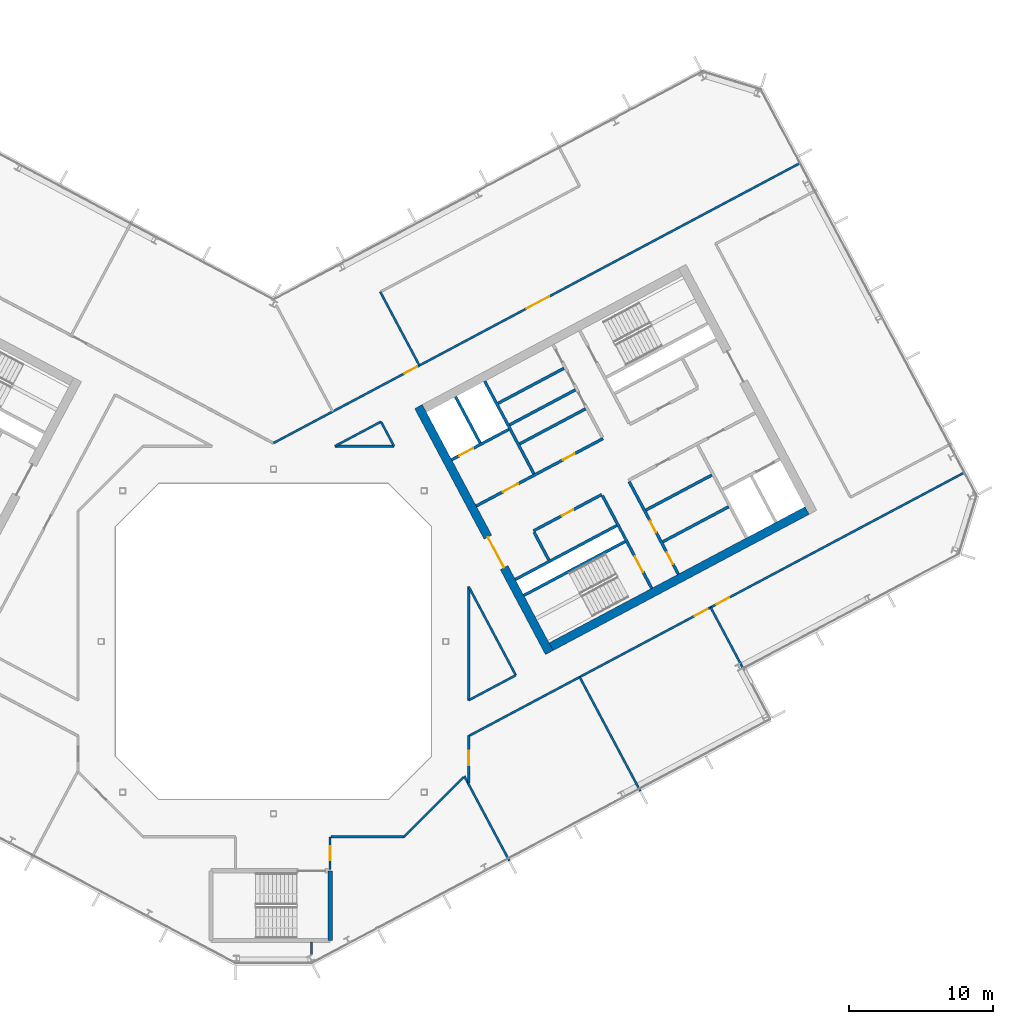
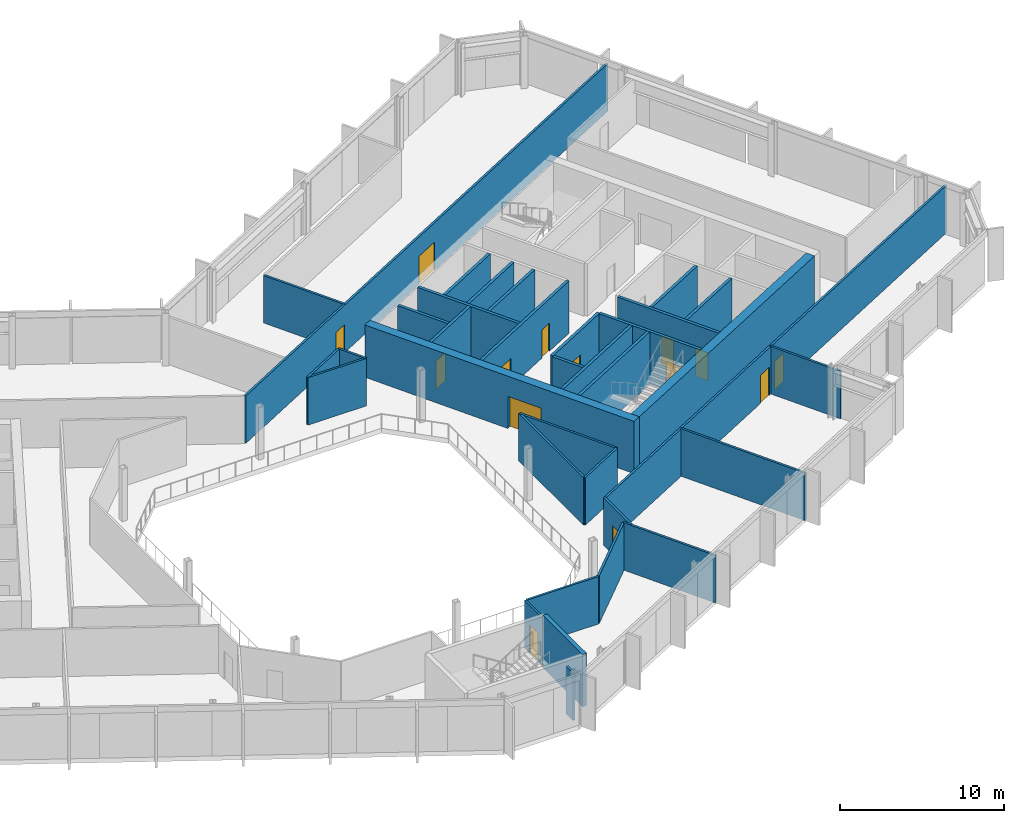
# One storey, part 15 of 26: 35 walls, 14 doors, 14 openings.
"""IFC4 building model written with IfcOpenShell, lengths in metres."""

from ifc_helpers import new_model, si_unit, direction, frame, frame_2d, origin, place, context, subcontext, project, spatial, rectangle, extrude, material, layer, layer_set, type_object, element, fill, save


model = new_model("IFC4")

# Units and contexts
model_context = context("Model", 3, precision=1e-05, world=origin(), true_north=direction((0.0, 1.0)))
body_context = subcontext(model_context, "Body", "Model", "MODEL_VIEW")
ifc_project = project(units=[si_unit("LENGTHUNIT", "METRE"), si_unit("AREAUNIT", "SQUARE_METRE"), si_unit("VOLUMEUNIT", "CUBIC_METRE"), si_unit("PLANEANGLEUNIT", "RADIAN"), si_unit("MASSUNIT", "GRAM", prefix="KILO")], contexts=[model_context])

# Site, building, storey
site_placement = place(None, origin())
site = spatial("IfcSite", under=ifc_project, at=site_placement, CompositionType="ELEMENT")
building_placement = place(site_placement, origin())
building = spatial("IfcBuilding", under=site, at=building_placement, Name="Cormorant Relay Tower", CompositionType="ELEMENT")
storey_placement = place(building_placement, frame((0.0, 0.0, 228.60009765625)))
storey = spatial("IfcBuildingStorey", under=building, at=storey_placement, Name="L50", CompositionType="ELEMENT", Elevation=228.60009765625)

# Walls
ifc_material_1 = material(Name="Concrete 40 MPa", Category="concrete")
ifc_layer_1 = layer(ifc_material_1, 0.199951171875)
ifc_layer_set_1 = layer_set([ifc_layer_1], Name="Core internal wall 200")
wall_type_1 = type_object("IfcWallType", Name="Core internal wall 200", PredefinedType="SOLIDWALL", material=ifc_layer_set_1)
for number, where, z_axis, x_axis, name in (
    (1, (27.11474609375, 6.942138671875, 0.0), (0.0, 0.0, 1.0), (0.882934506056, 0.469496174655, 0.0), "L50 core B shaft and room wall"),
    (2, (16.442626953125, 15.085205078125, 0.0), (0.0, 0.0, 1.0), (0.882953967957, 0.469459572775, 0.0), "L50 core B shaft and room wall"),
    (3, (15.64453125, 16.586181640625, 0.0), (0.0, 0.0, 1.0), (0.882953967957, 0.469459572775, 0.0), "L50 core B shaft and room wall"),
):
    element("IfcWall", number, at=place(storey_placement, frame(where, z_axis=z_axis, x_axis=x_axis)), inside=storey, type_object=wall_type_1, Name=name, PredefinedType="SOLIDWALL", context=body_context, shape_type="SweptSolid", body=[
        extrude(rectangle(XDim=5.199951171875, YDim=0.199951171875, at=frame_2d((2.60009765625, 0.0))), origin(), (0.0, 0.0, 1.0), 3.89990234375),
    ])
ifc_material_2 = material(Name="Concrete 50 MPa", Category="concrete")
ifc_layer_2 = layer(ifc_material_2, 0.199951171875)
ifc_layer_set_2 = layer_set([ifc_layer_2], Name="Core shaft wall 200")
wall_type_2 = type_object("IfcWallType", Name="Core shaft wall 200", PredefinedType="SHEAR", material=ifc_layer_set_2)
wall_1_placement = place(storey_placement, frame((14.39404296875, 13.825927734375, 0.0), z_axis=(0.0, 0.0, 1.0), x_axis=(-0.469494272526, 0.882935517501, 0.0)))
element("IfcWall", 4, at=wall_1_placement, inside=storey, type_object=wall_type_2, Name="L50 core B shaft wall", PredefinedType="SHEAR", context=body_context, shape_type="SweptSolid", body=[
    extrude(rectangle(XDim=3.64990234375, YDim=0.199951171875, at=frame_2d((1.824951171875, 0.0))), origin(), (0.0, 0.0, 1.0), 3.89990234375),
])
wall_2_placement = place(storey_placement, frame((19.18359375, 5.669921875, 0.0), z_axis=(0.0, 0.0, 1.0), x_axis=(-0.4694473164, 0.882960484464, 0.0)))
element("IfcWall", 5, at=wall_2_placement, inside=storey, type_object=wall_type_2, Name="L50 core B shaft wall", PredefinedType="SHEAR", context=body_context, shape_type="SweptSolid", body=[
    extrude(rectangle(XDim=2.199951171875, YDim=0.199951171875, at=frame_2d((1.10009765625, 0.0))), origin(), (0.0, 0.0, 1.0), 3.89990234375),
])
wall_3_placement = place(storey_placement, frame((18.138427734375, 11.682861328125, 0.0), z_axis=(0.0, 0.0, 1.0), x_axis=(-0.469480409012, 0.88294288918, 0.0)))
element("IfcWall", 6, at=wall_3_placement, inside=storey, type_object=wall_type_2, Name="L50 core B shaft wall", PredefinedType="SHEAR", context=body_context, shape_type="SweptSolid", body=[
    extrude(rectangle(XDim=7.300048828125, YDim=0.199951171875, at=frame_2d((3.64990234375, 0.0))), origin(), (0.0, 0.0, 1.0), 3.89990234375),
])

# Wall, opening, door
wall_4_placement = place(storey_placement, frame((26.345947265625, 3.701904296875, 0.0), z_axis=(0.0, 0.0, 1.0), x_axis=(-0.469480409012, 0.88294288918, 0.0)))
wall_4 = element("IfcWall", 7, at=wall_4_placement, inside=storey, type_object=wall_type_2, Name="L50 core B shaft wall", PredefinedType="SHEAR", context=body_context, shape_type="SweptSolid", body=[
    extrude(rectangle(XDim=7.300048828125, YDim=0.199951171875, at=frame_2d((3.64990234375, 0.0))), origin(), (0.0, 0.0, 1.0), 3.89990234375),
])
opening_1_placement = place(wall_4_placement, frame((1.300048828125, 0.0, 0.0)))
opening_1 = element("IfcOpeningElement", 8, at=opening_1_placement, cuts=wall_4, Name="Opening CDB-040", PredefinedType="OPENING", context=body_context, shape_type="SweptSolid", body=[
    extrude(rectangle(XDim=1.199951171875, YDim=2.10009765625, at=frame_2d((0.60009765625, 1.050048828125))), frame((0.0, 0.10986328125, 0.0), z_axis=(0.0, -1.0, 0.0), x_axis=(1.0, 0.0, 0.0)), (0.0, 0.0, 1.0), 0.219970703125),
])
ifc_material_3 = material(Name="Steel fire door", Category="steel")
door_type_1 = type_object("IfcDoorType", Name="Core stair door 1200x2100", OperationType="SINGLE_SWING_LEFT", PredefinedType="DOOR", material=ifc_material_3)
door_1_placement = place(opening_1_placement, origin())
door_1 = element("IfcDoor", 9, at=door_1_placement, inside=storey, type_object=door_type_1, Name="Core stair door 1200x2100", OperationType="SINGLE_SWING_RIGHT", OverallHeight=2.10009765625, OverallWidth=1.199951171875, PredefinedType="DOOR", context=body_context, shape_type="SweptSolid", body=[
    extrude(rectangle(XDim=1.199951171875, YDim=2.10009765625, at=frame_2d((0.60009765625, 1.050048828125))), frame((0.0, 0.02490234375, 0.0), z_axis=(0.0, -1.0, 0.0), x_axis=(1.0, 0.0, 0.0)), (0.0, 0.0, 1.0), 0.050048828125),
])
fill(opening_1, door_1)

# Wall, openings, doors
wall_5_placement = place(storey_placement, frame((28.199951171875, 4.687744140625, 0.0), z_axis=(0.0, 0.0, 1.0), x_axis=(-0.469454336211, 0.882956752176, 0.0)))
wall_5 = element("IfcWall", 10, at=wall_5_placement, inside=storey, type_object=wall_type_2, Name="L50 core B shaft wall", PredefinedType="SHEAR", context=body_context, shape_type="SweptSolid", body=[
    extrude(rectangle(XDim=7.300048828125, YDim=0.199951171875, at=frame_2d((3.64990234375, 0.0))), origin(), (0.0, 0.0, 1.0), 3.89990234375),
])
opening_2_placement = place(wall_5_placement, frame((0.800048828125, 0.0, 0.0)))
opening_2 = element("IfcOpeningElement", 11, at=opening_2_placement, cuts=wall_5, Name="Opening CDD-286", PredefinedType="OPENING", context=body_context, shape_type="SweptSolid", body=[
    extrude(rectangle(XDim=0.89990234375, YDim=2.10009765625, at=frame_2d((0.449951171875, 1.050048828125))), frame((0.0, 0.10986328125, 0.0), z_axis=(0.0, -1.0, 0.0), x_axis=(1.0, 0.0, 0.0)), (0.0, 0.0, 1.0), 0.219970703125),
])
opening_3_placement = place(wall_5_placement, frame((3.300048828125, 0.0, 0.0)))
opening_3 = element("IfcOpeningElement", 12, at=opening_3_placement, cuts=wall_5, Name="Opening CDD-287", PredefinedType="OPENING", context=body_context, shape_type="SweptSolid", body=[
    extrude(rectangle(XDim=0.89990234375, YDim=2.10009765625, at=frame_2d((0.449951171875, 1.050048828125))), frame((0.0, 0.10986328125, 0.0), z_axis=(0.0, -1.0, 0.0), x_axis=(1.0, 0.0, 0.0)), (0.0, 0.0, 1.0), 0.219970703125),
])
ifc_material_4 = material(Name="Steel fire door", Category="steel")
door_type_2 = type_object("IfcDoorType", Name="Core room door 900x2100", OperationType="SINGLE_SWING_LEFT", PredefinedType="DOOR", material=ifc_material_4)
door_2_placement = place(opening_2_placement, frame((0.89990234375, 0.0, 0.0), z_axis=(0.0, 0.0, 1.0), x_axis=(-1.0, 0.0, 0.0)))
door_2 = element("IfcDoor", 13, at=door_2_placement, inside=storey, type_object=door_type_2, Name="Core room door 900x2100", OperationType="SINGLE_SWING_LEFT", OverallHeight=2.10009765625, OverallWidth=0.89990234375, PredefinedType="DOOR", context=body_context, shape_type="SweptSolid", body=[
    extrude(rectangle(XDim=0.89990234375, YDim=2.10009765625, at=frame_2d((0.449951171875, 1.050048828125))), frame((0.0, 0.02490234375, 0.0), z_axis=(0.0, -1.0, 0.0), x_axis=(1.0, 0.0, 0.0)), (0.0, 0.0, 1.0), 0.050048828125),
])
fill(opening_2, door_2)
door_3_placement = place(opening_3_placement, frame((0.89990234375, 0.0, 0.0), z_axis=(0.0, 0.0, 1.0), x_axis=(-1.0, 0.0, 0.0)))
door_3 = element("IfcDoor", 14, at=door_3_placement, inside=storey, type_object=door_type_2, Name="Core room door 900x2100", OperationType="SINGLE_SWING_LEFT", OverallHeight=2.10009765625, OverallWidth=0.89990234375, PredefinedType="DOOR", context=body_context, shape_type="SweptSolid", body=[
    extrude(rectangle(XDim=0.89990234375, YDim=2.10009765625, at=frame_2d((0.449951171875, 1.050048828125))), frame((0.0, 0.02490234375, 0.0), z_axis=(0.0, -1.0, 0.0), x_axis=(1.0, 0.0, 0.0)), (0.0, 0.0, 1.0), 0.050048828125),
])
fill(opening_3, door_3)

# Walls
for number, where, z_axis, x_axis, name in (
    (15, (17.43359375, 3.210205078125, 0.0), (0.0, 0.0, 1.0), (0.882940221191, 0.469485426614, 0.0), "L50 core B shaft wall"),
    (16, (16.8466796875, 4.31396484375, 0.0), (0.0, 0.0, 1.0), (0.882940221191, 0.469485426614, 0.0), "L50 core B shaft wall"),
):
    element("IfcWall", number, at=place(storey_placement, frame(where, z_axis=z_axis, x_axis=x_axis)), inside=storey, type_object=wall_type_2, Name=name, PredefinedType="SHEAR", context=body_context, shape_type="SweptSolid", body=[
        extrude(rectangle(XDim=8.0, YDim=0.199951171875, at=frame_2d((4.0, 0.0))), origin(), (0.0, 0.0, 1.0), 3.89990234375),
    ])
wall_6_placement = place(storey_placement, frame((25.94091796875, 9.149658203125, 0.0), z_axis=(0.0, 0.0, 1.0), x_axis=(0.882953967957, 0.469459572775, 0.0)))
element("IfcWall", 17, at=wall_6_placement, inside=storey, type_object=wall_type_2, Name="L50 core B shaft wall", PredefinedType="SHEAR", context=body_context, shape_type="SweptSolid", body=[
    extrude(rectangle(XDim=5.199951171875, YDim=0.199951171875, at=frame_2d((2.60009765625, 0.0))), origin(), (0.0, 0.0, 1.0), 3.89990234375),
])

# Wall, opening, door
wall_7_placement = place(storey_placement, frame((18.103759765625, 7.70068359375, 0.0), z_axis=(0.0, 0.0, 1.0), x_axis=(0.882952937579, 0.469461510692, 0.0)))
wall_7 = element("IfcWall", 18, at=wall_7_placement, inside=storey, type_object=wall_type_2, Name="L50 core B shaft wall", PredefinedType="SHEAR", context=body_context, shape_type="SweptSolid", body=[
    extrude(rectangle(XDim=5.400146484375, YDim=0.199951171875, at=frame_2d((2.7001953125, 0.0))), origin(), (0.0, 0.0, 1.0), 3.89990234375),
])
opening_4_placement = place(wall_7_placement, frame((2.25, 0.0, 0.0)))
opening_4 = element("IfcOpeningElement", 19, at=opening_4_placement, cuts=wall_7, Name="Opening CDD-262", PredefinedType="OPENING", context=body_context, shape_type="SweptSolid", body=[
    extrude(rectangle(XDim=0.89990234375, YDim=2.10009765625, at=frame_2d((0.449951171875, 1.050048828125))), frame((0.0, 0.10986328125, 0.0), z_axis=(0.0, -1.0, 0.0), x_axis=(1.0, 0.0, 0.0)), (0.0, 0.0, 1.0), 0.219970703125),
])
door_4_placement = place(opening_4_placement, frame((0.89990234375, 0.0, 0.0), z_axis=(0.0, 0.0, 1.0), x_axis=(-1.0, 0.0, 0.0)))
door_4 = element("IfcDoor", 20, at=door_4_placement, inside=storey, type_object=door_type_2, Name="Core room door 900x2100", OperationType="SINGLE_SWING_RIGHT", OverallHeight=2.10009765625, OverallWidth=0.89990234375, PredefinedType="DOOR", context=body_context, shape_type="SweptSolid", body=[
    extrude(rectangle(XDim=0.89990234375, YDim=2.10009765625, at=frame_2d((0.449951171875, 1.050048828125))), frame((0.0, 0.02490234375, 0.0), z_axis=(0.0, -1.0, 0.0), x_axis=(1.0, 0.0, 0.0)), (0.0, 0.0, 1.0), 0.050048828125),
])
fill(opening_4, door_4)

# Wall, openings, doors
wall_8_placement = place(storey_placement, frame((14.123779296875, 9.43505859375, 0.0), z_axis=(0.0, 0.0, 1.0), x_axis=(0.882940221191, 0.469485426614, 0.0)))
wall_8 = element("IfcWall", 21, at=wall_8_placement, inside=storey, type_object=wall_type_2, Name="L50 core B shaft wall", PredefinedType="SHEAR", context=body_context, shape_type="SweptSolid", body=[
    extrude(rectangle(XDim=10.0, YDim=0.199951171875, at=frame_2d((5.0, 0.0))), origin(), (0.0, 0.0, 1.0), 3.89990234375),
])
opening_5_placement = place(wall_8_placement, frame((2.10009765625, 0.0, 0.0)))
opening_5 = element("IfcOpeningElement", 22, at=opening_5_placement, cuts=wall_8, Name="Opening CDC-037", PredefinedType="OPENING", context=body_context, shape_type="SweptSolid", body=[
    extrude(rectangle(XDim=1.199951171875, YDim=2.10009765625, at=frame_2d((0.60009765625, 1.050048828125))), frame((0.0, 0.10986328125, 0.0), z_axis=(0.0, -1.0, 0.0), x_axis=(1.0, 0.0, 0.0)), (0.0, 0.0, 1.0), 0.219970703125),
])
opening_6_placement = place(wall_8_placement, frame((6.85009765625, 0.0, 0.0)))
opening_6 = element("IfcOpeningElement", 23, at=opening_6_placement, cuts=wall_8, Name="Opening CDD-260", PredefinedType="OPENING", context=body_context, shape_type="SweptSolid", body=[
    extrude(rectangle(XDim=0.89990234375, YDim=2.10009765625, at=frame_2d((0.449951171875, 1.050048828125))), frame((0.0, 0.10986328125, 0.0), z_axis=(0.0, -1.0, 0.0), x_axis=(1.0, 0.0, 0.0)), (0.0, 0.0, 1.0), 0.219970703125),
])
ifc_material_5 = material(Name="Steel fire door", Category="steel")
door_type_3 = type_object("IfcDoorType", Name="Core lobby door 1200x2100", OperationType="SINGLE_SWING_LEFT", PredefinedType="DOOR", material=ifc_material_5)
door_5_placement = place(opening_5_placement, origin())
door_5 = element("IfcDoor", 24, at=door_5_placement, inside=storey, type_object=door_type_3, Name="Core lobby door 1200x2100", OperationType="SINGLE_SWING_RIGHT", OverallHeight=2.10009765625, OverallWidth=1.199951171875, PredefinedType="DOOR", context=body_context, shape_type="SweptSolid", body=[
    extrude(rectangle(XDim=1.199951171875, YDim=2.10009765625, at=frame_2d((0.60009765625, 1.050048828125))), frame((0.0, 0.02490234375, 0.0), z_axis=(0.0, -1.0, 0.0), x_axis=(1.0, 0.0, 0.0)), (0.0, 0.0, 1.0), 0.050048828125),
])
fill(opening_5, door_5)
door_6_placement = place(opening_6_placement, origin())
door_6 = element("IfcDoor", 25, at=door_6_placement, inside=storey, type_object=door_type_2, Name="Core room door 900x2100", OperationType="SINGLE_SWING_LEFT", OverallHeight=2.10009765625, OverallWidth=0.89990234375, PredefinedType="DOOR", context=body_context, shape_type="SweptSolid", body=[
    extrude(rectangle(XDim=0.89990234375, YDim=2.10009765625, at=frame_2d((0.449951171875, 1.050048828125))), frame((0.0, 0.02490234375, 0.0), z_axis=(0.0, -1.0, 0.0), x_axis=(1.0, 0.0, 0.0)), (0.0, 0.0, 1.0), 0.050048828125),
])
fill(opening_6, door_6)

# Wall
wall_9_placement = place(storey_placement, frame((17.146728515625, 13.7607421875, 0.0), z_axis=(0.0, 0.0, 1.0), x_axis=(0.882964314875, 0.469440111896, 0.0)))
element("IfcWall", 26, at=wall_9_placement, inside=storey, type_object=wall_type_2, Name="L50 core B shaft wall", PredefinedType="SHEAR", context=body_context, shape_type="SweptSolid", body=[
    extrude(rectangle(XDim=5.2001953125, YDim=0.199951171875, at=frame_2d((2.60009765625, 0.0))), origin(), (0.0, 0.0, 1.0), 3.89990234375),
])

# Wall, opening, door
wall_10_placement = place(storey_placement, frame((12.41015625, 12.657958984375, 0.0), z_axis=(0.0, 0.0, 1.0), x_axis=(0.8829484765, 0.469469900894, 0.0)))
wall_10 = element("IfcWall", 27, at=wall_10_placement, inside=storey, type_object=wall_type_2, Name="L50 core B shaft wall", PredefinedType="SHEAR", context=body_context, shape_type="SweptSolid", body=[
    extrude(rectangle(XDim=4.499755859375, YDim=0.199951171875, at=frame_2d((2.25, 0.0))), origin(), (0.0, 0.0, 1.0), 3.89990234375),
])
opening_7_placement = place(wall_10_placement, frame((0.60009765625, 0.0, 0.0)))
opening_7 = element("IfcOpeningElement", 28, at=opening_7_placement, cuts=wall_10, Name="Opening LD1-064", PredefinedType="OPENING", context=body_context, shape_type="SweptSolid", body=[
    extrude(rectangle(XDim=1.10009765625, YDim=2.10009765625, at=frame_2d((0.550048828125, 1.050048828125))), frame((0.0, 0.10986328125, 0.0), z_axis=(0.0, -1.0, 0.0), x_axis=(1.0, 0.0, 0.0)), (0.0, 0.0, 1.0), 0.219970703125),
])
ifc_material_6 = material(Name="Stainless steel 316", Category="steel")
door_type_4 = type_object("IfcDoorType", Name="Lift landing door 1100x2100", OperationType="DOUBLE_DOOR_SLIDING", PredefinedType="DOOR", material=ifc_material_6)
door_7_placement = place(opening_7_placement, origin())
door_7 = element("IfcDoor", 29, at=door_7_placement, inside=storey, type_object=door_type_4, Name="FF2 landing door", OperationType="DOUBLE_DOOR_SLIDING", OverallHeight=2.10009765625, OverallWidth=1.10009765625, PredefinedType="DOOR", context=body_context, shape_type="SweptSolid", body=[
    extrude(rectangle(XDim=1.10009765625, YDim=2.10009765625, at=frame_2d((0.550048828125, 1.050048828125))), frame((0.0, 0.02490234375, 0.0), z_axis=(0.0, -1.0, 0.0), x_axis=(1.0, 0.0, 0.0)), (0.0, 0.0, 1.0), 0.050048828125),
])
fill(opening_7, door_7)

ifc_material_7 = material(Name="Concrete 50 MPa", Category="concrete")
ifc_layer_3 = layer(ifc_material_7, 0.60009765625)
ifc_layer_set_3 = layer_set([ifc_layer_3], Name="Core wall 600")
wall_type_3 = type_object("IfcWallType", Name="Core wall 600", PredefinedType="SHEAR", material=ifc_layer_set_3)
wall_11_placement = place(storey_placement, frame((19.210693359375, -0.771484375, 0.0), z_axis=(0.0, 0.0, 1.0), x_axis=(-0.469463742137, 0.882951751127, 0.0)))
wall_11 = element("IfcWall", 30, at=wall_11_placement, inside=storey, type_object=wall_type_3, Name="L50 core B wall", PredefinedType="SHEAR", context=body_context, shape_type="SweptSolid", body=[
    extrude(rectangle(XDim=19.400146484375, YDim=0.60009765625, at=frame_2d((9.7001953125, 0.0))), origin(), (0.0, 0.0, 1.0), 3.89990234375),
])
opening_8_placement = place(wall_11_placement, frame((6.699951171875, 0.0, 0.0)))
opening_8 = element("IfcOpeningElement", 31, at=opening_8_placement, cuts=wall_11, Name="Opening CDA-044", PredefinedType="OPENING", context=body_context, shape_type="SweptSolid", body=[
    extrude(rectangle(XDim=2.39990234375, YDim=2.39990234375, at=frame_2d((1.199951171875, 1.199951171875))), frame((0.0, 0.31005859375, 0.0), z_axis=(0.0, -1.0, 0.0), x_axis=(1.0, 0.0, 0.0)), (0.0, 0.0, 1.0), 0.6201171875),
])
ifc_material_8 = material(Name="Steel fire door", Category="steel")
door_type_5 = type_object("IfcDoorType", Name="Core lobby door 2400x2400", OperationType="DOUBLE_DOOR_SINGLE_SWING", PredefinedType="DOOR", material=ifc_material_8)
door_8_placement = place(opening_8_placement, origin())
door_8 = element("IfcDoor", 32, at=door_8_placement, inside=storey, type_object=door_type_5, Name="Core lobby door 2400x2400", OperationType="DOUBLE_DOOR_SINGLE_SWING", OverallHeight=2.39990234375, OverallWidth=2.39990234375, PredefinedType="DOOR", context=body_context, shape_type="SweptSolid", body=[
    extrude(rectangle(XDim=2.39990234375, YDim=2.39990234375, at=frame_2d((1.199951171875, 1.199951171875))), frame((0.0, 0.02490234375, 0.0), z_axis=(0.0, -1.0, 0.0), x_axis=(1.0, 0.0, 0.0)), (0.0, 0.0, 1.0), 0.050048828125),
])
fill(opening_8, door_8)

# Wall
wall_12_placement = place(storey_placement, frame((19.3349609375, -0.36572265625, 0.0), z_axis=(0.0, 0.0, 1.0), x_axis=(0.88294509198, 0.469476266226, 0.0)))
element("IfcWall", 33, at=wall_12_placement, inside=storey, type_object=wall_type_3, Name="L50 core B wall", PredefinedType="SHEAR", context=body_context, shape_type="SweptSolid", body=[
    extrude(rectangle(XDim=20.199951171875, YDim=0.60009765625, at=frame_2d((10.10009765625, 0.0))), origin(), (0.0, 0.0, 1.0), 3.89990234375),
])

# Wall, openings, doors
ifc_material_9 = material(Name="Gypsum board fire partition")
ifc_layer_4 = layer(ifc_material_9, 0.14990234375)
ifc_layer_set_4 = layer_set([ifc_layer_4], Name="Corridor partition 150 EI 60")
wall_type_4 = type_object("IfcWallType", Name="Corridor partition 150 EI 60", PredefinedType="PARTITIONING", material=ifc_layer_set_4)
wall_13_placement = place(storey_placement, frame((0.0, 13.81689453125, 0.0), z_axis=(0.0, 0.0, 1.0), x_axis=(0.88295168045, 0.469463875065, 0.0)))
wall_13 = element("IfcWall", 34, at=wall_13_placement, inside=storey, type_object=wall_type_4, Name="wall/L50/part/012", PredefinedType="PARTITIONING", context=body_context, shape_type="SweptSolid", body=[
    extrude(rectangle(XDim=41.713623046875, YDim=0.14990234375, at=frame_2d((20.85693359375, 0.0))), origin(), (0.0, 0.0, 1.0), 3.539794921875),
])
opening_9_placement = place(wall_13_placement, frame((19.949951171875, 0.0, 0.0)))
opening_9 = element("IfcOpeningElement", 35, at=opening_9_placement, cuts=wall_13, Name="Opening DD-029", PredefinedType="OPENING", context=body_context, shape_type="SweptSolid", body=[
    extrude(rectangle(XDim=1.800048828125, YDim=2.10009765625, at=frame_2d((0.89990234375, 1.050048828125))), frame((0.0, 0.0849609375, 0.0), z_axis=(0.0, -1.0, 0.0), x_axis=(1.0, 0.0, 0.0)), (0.0, 0.0, 1.0), 0.169921875),
])
opening_10_placement = place(wall_13_placement, frame((10.35009765625, 0.0, 0.0)))
opening_10 = element("IfcOpeningElement", 36, at=opening_10_placement, cuts=wall_13, Name="Opening DS-160", PredefinedType="OPENING", context=body_context, shape_type="SweptSolid", body=[
    extrude(rectangle(XDim=1.0, YDim=2.10009765625, at=frame_2d((0.5, 1.050048828125))), frame((0.0, 0.0849609375, 0.0), z_axis=(0.0, -1.0, 0.0), x_axis=(1.0, 0.0, 0.0)), (0.0, 0.0, 1.0), 0.169921875),
])
ifc_material_10 = material(Name="Timber door leaf", Category="wood")
door_type_6 = type_object("IfcDoorType", Name="Suite door 1000x2100", OperationType="SINGLE_SWING_LEFT", PredefinedType="DOOR", material=ifc_material_10)
door_9_placement = place(opening_10_placement, origin())
door_9 = element("IfcDoor", 37, at=door_9_placement, inside=storey, type_object=door_type_6, Name="door/L50/014", OperationType="SINGLE_SWING_RIGHT", OverallHeight=2.10009765625, OverallWidth=1.0, PredefinedType="DOOR", context=body_context, shape_type="SweptSolid", body=[
    extrude(rectangle(XDim=1.0, YDim=2.10009765625, at=frame_2d((0.5, 1.050048828125))), frame((0.0, 0.02490234375, 0.0), z_axis=(0.0, -1.0, 0.0), x_axis=(1.0, 0.0, 0.0)), (0.0, 0.0, 1.0), 0.050048828125),
])
fill(opening_10, door_9)
ifc_material_11 = material(Name="Timber door leaf", Category="wood")
door_type_7 = type_object("IfcDoorType", Name="Suite double door 1800x2100", OperationType="DOUBLE_DOOR_SINGLE_SWING", PredefinedType="DOOR", material=ifc_material_11)
door_10_placement = place(opening_9_placement, origin())
door_10 = element("IfcDoor", 38, at=door_10_placement, inside=storey, type_object=door_type_7, Name="door/L50/013", OperationType="DOUBLE_DOOR_SINGLE_SWING", OverallHeight=2.10009765625, OverallWidth=1.800048828125, PredefinedType="DOOR", context=body_context, shape_type="SweptSolid", body=[
    extrude(rectangle(XDim=1.800048828125, YDim=2.10009765625, at=frame_2d((0.89990234375, 1.050048828125))), frame((0.0, 0.02490234375, 0.0), z_axis=(0.0, -1.0, 0.0), x_axis=(1.0, 0.0, 0.0)), (0.0, 0.0, 1.0), 0.050048828125),
])
fill(opening_9, door_10)

# Wall, opening, door
wall_14_placement = place(storey_placement, frame((3.949951171875, -13.60009765625, 0.0), z_axis=(0.0, 0.0, 1.0), x_axis=(0.0, -1.0, 0.0)))
wall_14 = element("IfcWall", 39, at=wall_14_placement, inside=storey, type_object=wall_type_4, Name="wall/L50/part/028", PredefinedType="PARTITIONING", context=body_context, shape_type="SweptSolid", body=[
    extrude(rectangle(XDim=2.27490234375, YDim=0.14990234375, at=frame_2d((1.137451171875, 0.0))), origin(), (0.0, 0.0, 1.0), 3.539794921875),
])
opening_11_placement = place(wall_14_placement, frame((0.64990234375, 0.0, 0.0)))
opening_11 = element("IfcOpeningElement", 40, at=opening_11_placement, cuts=wall_14, Name="Opening DS-138", PredefinedType="OPENING", context=body_context, shape_type="SweptSolid", body=[
    extrude(rectangle(XDim=1.0, YDim=2.10009765625, at=frame_2d((0.5, 1.050048828125))), frame((0.0, 0.0849609375, 0.0), z_axis=(0.0, -1.0, 0.0), x_axis=(1.0, 0.0, 0.0)), (0.0, 0.0, 1.0), 0.169921875),
])
door_11_placement = place(opening_11_placement, origin())
door_11 = element("IfcDoor", 41, at=door_11_placement, inside=storey, type_object=door_type_6, Name="door/L50/001", OperationType="SINGLE_SWING_LEFT", OverallHeight=2.10009765625, OverallWidth=1.0, PredefinedType="DOOR", context=body_context, shape_type="SweptSolid", body=[
    extrude(rectangle(XDim=1.0, YDim=2.10009765625, at=frame_2d((0.5, 1.050048828125))), frame((0.0, 0.02490234375, 0.0), z_axis=(0.0, -1.0, 0.0), x_axis=(1.0, 0.0, 0.0)), (0.0, 0.0, 1.0), 0.050048828125),
])
fill(opening_11, door_11)

# Walls
wall_15_placement = place(storey_placement, frame((13.23291015625, -9.444091796875, 0.0), z_axis=(0.0, 0.0, 1.0), x_axis=(-0.707106781187, -0.707106781187, 0.0)))
element("IfcWall", 42, at=wall_15_placement, inside=storey, type_object=wall_type_4, Name="wall/L50/part/029", PredefinedType="PARTITIONING", context=body_context, shape_type="SweptSolid", body=[
    extrude(rectangle(XDim=5.87744140625, YDim=0.14990234375, at=frame_2d((2.938720703125, 0.0))), origin(), (0.0, 0.0, 1.0), 3.539794921875),
])
wall_16_placement = place(storey_placement, frame((9.076904296875, -13.60009765625, 0.0), z_axis=(0.0, 0.0, 1.0), x_axis=(-1.0, 0.0, 0.0)))
element("IfcWall", 43, at=wall_16_placement, inside=storey, type_object=wall_type_4, Name="wall/L50/part/030", PredefinedType="PARTITIONING", context=body_context, shape_type="SweptSolid", body=[
    extrude(rectangle(XDim=5.052001953125, YDim=0.14990234375, at=frame_2d((2.52587890625, 0.0))), origin(), (0.0, 0.0, 1.0), 3.539794921875),
])

# Wall, opening, door
wall_17_placement = place(storey_placement, frame((13.60009765625, -6.535888671875, 0.0), z_axis=(0.0, 0.0, 1.0), x_axis=(0.0, -1.0, 0.0)))
wall_17 = element("IfcWall", 44, at=wall_17_placement, inside=storey, type_object=wall_type_4, Name="wall/L50/part/035", PredefinedType="PARTITIONING", context=body_context, shape_type="SweptSolid", body=[
    extrude(rectangle(XDim=3.31005859375, YDim=0.14990234375, at=frame_2d((1.655029296875, 0.0))), origin(), (0.0, 0.0, 1.0), 3.539794921875),
])
opening_12_placement = place(wall_17_placement, frame((1.089111328125, 0.0, 0.0)))
opening_12 = element("IfcOpeningElement", 45, at=opening_12_placement, cuts=wall_17, Name="Opening DS-152", PredefinedType="OPENING", context=body_context, shape_type="SweptSolid", body=[
    extrude(rectangle(XDim=1.0, YDim=2.10009765625, at=frame_2d((0.5, 1.050048828125))), frame((0.0, 0.0849609375, 0.0), z_axis=(0.0, -1.0, 0.0), x_axis=(1.0, 0.0, 0.0)), (0.0, 0.0, 1.0), 0.169921875),
])
door_12_placement = place(opening_12_placement, origin())
door_12 = element("IfcDoor", 46, at=door_12_placement, inside=storey, type_object=door_type_6, Name="door/L50/002", OperationType="SINGLE_SWING_LEFT", OverallHeight=2.10009765625, OverallWidth=1.0, PredefinedType="DOOR", context=body_context, shape_type="SweptSolid", body=[
    extrude(rectangle(XDim=1.0, YDim=2.10009765625, at=frame_2d((0.5, 1.050048828125))), frame((0.0, 0.02490234375, 0.0), z_axis=(0.0, -1.0, 0.0), x_axis=(1.0, 0.0, 0.0)), (0.0, 0.0, 1.0), 0.050048828125),
])
fill(opening_12, door_12)

# Wall, openings, doors
wall_18_placement = place(storey_placement, frame((48.285888671875, 11.85595703125, 0.0), z_axis=(0.0, 0.0, 1.0), x_axis=(-0.882956748566, -0.469454343001, 0.0)))
wall_18 = element("IfcWall", 47, at=wall_18_placement, inside=storey, type_object=wall_type_4, Name="wall/L50/part/037", PredefinedType="PARTITIONING", context=body_context, shape_type="SweptSolid", body=[
    extrude(rectangle(XDim=39.28369140625, YDim=0.14990234375, at=frame_2d((19.641845703125, 0.0))), origin(), (0.0, 0.0, 1.0), 3.539794921875),
])
opening_13_placement = place(wall_18_placement, frame((20.449951171875, 0.0, 0.0)))
opening_13 = element("IfcOpeningElement", 48, at=opening_13_placement, cuts=wall_18, Name="Opening DS-153", PredefinedType="OPENING", context=body_context, shape_type="SweptSolid", body=[
    extrude(rectangle(XDim=1.0, YDim=2.10009765625, at=frame_2d((0.5, 1.050048828125))), frame((0.0, 0.0849609375, 0.0), z_axis=(0.0, -1.0, 0.0), x_axis=(1.0, 0.0, 0.0)), (0.0, 0.0, 1.0), 0.169921875),
])
opening_14_placement = place(wall_18_placement, frame((18.75, 0.0, 0.0)))
opening_14 = element("IfcOpeningElement", 49, at=opening_14_placement, cuts=wall_18, Name="Opening DS-154", PredefinedType="OPENING", context=body_context, shape_type="SweptSolid", body=[
    extrude(rectangle(XDim=1.0, YDim=2.10009765625, at=frame_2d((0.5, 1.050048828125))), frame((0.0, 0.0849609375, 0.0), z_axis=(0.0, -1.0, 0.0), x_axis=(1.0, 0.0, 0.0)), (0.0, 0.0, 1.0), 0.169921875),
])
door_13_placement = place(opening_13_placement, origin())
door_13 = element("IfcDoor", 50, at=door_13_placement, inside=storey, type_object=door_type_6, Name="door/L50/003", OperationType="SINGLE_SWING_LEFT", OverallHeight=2.10009765625, OverallWidth=1.0, PredefinedType="DOOR", context=body_context, shape_type="SweptSolid", body=[
    extrude(rectangle(XDim=1.0, YDim=2.10009765625, at=frame_2d((0.5, 1.050048828125))), frame((0.0, 0.02490234375, 0.0), z_axis=(0.0, -1.0, 0.0), x_axis=(1.0, 0.0, 0.0)), (0.0, 0.0, 1.0), 0.050048828125),
])
fill(opening_13, door_13)
door_14_placement = place(opening_14_placement, origin())
door_14 = element("IfcDoor", 51, at=door_14_placement, inside=storey, type_object=door_type_6, Name="door/L50/004", OperationType="SINGLE_SWING_RIGHT", OverallHeight=2.10009765625, OverallWidth=1.0, PredefinedType="DOOR", context=body_context, shape_type="SweptSolid", body=[
    extrude(rectangle(XDim=1.0, YDim=2.10009765625, at=frame_2d((0.5, 1.050048828125))), frame((0.0, 0.02490234375, 0.0), z_axis=(0.0, -1.0, 0.0), x_axis=(1.0, 0.0, 0.0)), (0.0, 0.0, 1.0), 0.050048828125),
])
fill(opening_14, door_14)

# Walls
wall_19_placement = place(storey_placement, frame((4.277099609375, 13.60009765625, 0.0), z_axis=(0.0, 0.0, 1.0), x_axis=(1.0, 0.0, 0.0)))
element("IfcWall", 52, at=wall_19_placement, inside=storey, type_object=wall_type_4, Name="wall/L50/part/048", PredefinedType="PARTITIONING", context=body_context, shape_type="SweptSolid", body=[
    extrude(rectangle(XDim=4.120849609375, YDim=0.14990234375, at=frame_2d((2.060546875, 0.0))), origin(), (0.0, 0.0, 1.0), 3.539794921875),
])
wall_20_placement = place(storey_placement, frame((8.39794921875, 13.60009765625, 0.0), z_axis=(0.0, 0.0, 1.0), x_axis=(-0.469388988559, 0.882991493401, 0.0)))
element("IfcWall", 53, at=wall_20_placement, inside=storey, type_object=wall_type_4, Name="wall/L50/part/049", PredefinedType="PARTITIONING", context=body_context, shape_type="SweptSolid", body=[
    extrude(rectangle(XDim=1.934326171875, YDim=0.14990234375, at=frame_2d((0.96728515625, 0.0))), origin(), (0.0, 0.0, 1.0), 3.539794921875),
])
wall_21_placement = place(storey_placement, frame((7.489990234375, 15.30810546875, 0.0), z_axis=(0.0, 0.0, 1.0), x_axis=(-0.882983638691, -0.469403764155, 0.0)))
element("IfcWall", 54, at=wall_21_placement, inside=storey, type_object=wall_type_4, Name="wall/L50/part/050", PredefinedType="PARTITIONING", context=body_context, shape_type="SweptSolid", body=[
    extrude(rectangle(XDim=3.638671875, YDim=0.14990234375, at=frame_2d((1.8193359375, 0.0))), origin(), (0.0, 0.0, 1.0), 3.539794921875),
])
wall_22_placement = place(storey_placement, frame((16.87890625, -2.35107421875, 0.0), z_axis=(0.0, 0.0, 1.0), x_axis=(-0.469386900786, 0.882992603236, 0.0)))
element("IfcWall", 55, at=wall_22_placement, inside=storey, type_object=wall_type_4, Name="wall/L50/part/051", PredefinedType="PARTITIONING", context=body_context, shape_type="SweptSolid", body=[
    extrude(rectangle(XDim=6.9853515625, YDim=0.14990234375, at=frame_2d((3.49267578125, 0.0))), origin(), (0.0, 0.0, 1.0), 3.539794921875),
])
wall_23_placement = place(storey_placement, frame((13.60009765625, 3.81689453125, 0.0), z_axis=(0.0, 0.0, 1.0), x_axis=(0.0, -1.0, 0.0)))
element("IfcWall", 56, at=wall_23_placement, inside=storey, type_object=wall_type_4, Name="wall/L50/part/052", PredefinedType="PARTITIONING", context=body_context, shape_type="SweptSolid", body=[
    extrude(rectangle(XDim=7.910888671875, YDim=0.14990234375, at=frame_2d((3.95556640625, 0.0))), origin(), (0.0, 0.0, 1.0), 3.539794921875),
])
wall_24_placement = place(storey_placement, frame((13.60009765625, -4.093994140625, 0.0), z_axis=(0.0, 0.0, 1.0), x_axis=(0.882998216328, 0.469376341502, 0.0)))
element("IfcWall", 57, at=wall_24_placement, inside=storey, type_object=wall_type_4, Name="wall/L50/part/053", PredefinedType="PARTITIONING", context=body_context, shape_type="SweptSolid", body=[
    extrude(rectangle(XDim=3.71337890625, YDim=0.14990234375, at=frame_2d((1.856689453125, 0.0))), origin(), (0.0, 0.0, 1.0), 3.539794921875),
])
ifc_material_12 = material(Name="Concrete 50 MPa", Category="concrete")
ifc_layer_5 = layer(ifc_material_12, 0.300048828125)
ifc_layer_set_5 = layer_set([ifc_layer_5], Name="Remote stair wall 300")
wall_type_5 = type_object("IfcWallType", Name="Remote stair wall 300", PredefinedType="SHEAR", material=ifc_layer_set_5)
wall_25_placement = place(storey_placement, frame((3.949951171875, -15.97509765625, 0.0), z_axis=(0.0, 0.0, 1.0), x_axis=(0.0, -1.0, 0.0)))
element("IfcWall", 58, at=wall_25_placement, inside=storey, type_object=wall_type_5, Name="L50 exit stair RK1 wall", PredefinedType="SHEAR", context=body_context, shape_type="SweptSolid", body=[
    extrude(rectangle(XDim=4.849853515625, YDim=0.300048828125, at=frame_2d((2.4248046875, 0.0))), origin(), (0.0, 0.0, 1.0), 3.89990234375),
])
ifc_material_13 = material(Name="Gypsum board partition")
ifc_layer_6 = layer(ifc_material_13, 0.14990234375)
ifc_layer_set_6 = layer_set([ifc_layer_6], Name="Tenant partition 150")
wall_type_6 = type_object("IfcWallType", Name="Tenant partition 150", PredefinedType="PARTITIONING", material=ifc_layer_set_6)
wall_26_placement = place(storey_placement, frame((2.64892578125, -21.799072265625, 0.0), z_axis=(0.0, 0.0, 1.0), x_axis=(0.0, 1.0, 0.0)))
element("IfcWall", 59, at=wall_26_placement, inside=storey, type_object=wall_type_6, Name="wall/L50/part/027", PredefinedType="PARTITIONING", context=body_context, shape_type="SweptSolid", body=[
    extrude(rectangle(XDim=0.8740234375, YDim=0.14990234375, at=frame_2d((0.43701171875, 0.0))), origin(), (0.0, 0.0, 1.0), 3.539794921875),
])
wall_27_placement = place(storey_placement, frame((7.443115234375, 24.343994140625, 0.0), z_axis=(0.0, 0.0, 1.0), x_axis=(0.46940426451, -0.882983372697, 0.0)))
element("IfcWall", 60, at=wall_27_placement, inside=storey, type_object=wall_type_6, Name="wall/L50/part/032", PredefinedType="PARTITIONING", context=body_context, shape_type="SweptSolid", body=[
    extrude(rectangle(XDim=5.781494140625, YDim=0.14990234375, at=frame_2d((2.890625, 0.0))), origin(), (0.0, 0.0, 1.0), 3.539794921875),
])
wall_28_placement = place(storey_placement, frame((13.294921875, -9.382080078125, 0.0), z_axis=(0.0, 0.0, 1.0), x_axis=(0.469560801687, -0.882900137908, 0.0)))
element("IfcWall", 61, at=wall_28_placement, inside=storey, type_object=wall_type_6, Name="wall/L50/part/034", PredefinedType="PARTITIONING", context=body_context, shape_type="SweptSolid", body=[
    extrude(rectangle(XDim=6.67431640625, YDim=0.14990234375, at=frame_2d((3.337158203125, 0.0))), origin(), (0.0, 0.0, 1.0), 3.539794921875),
])
wall_29_placement = place(storey_placement, frame((21.326904296875, -2.47802734375, 0.0), z_axis=(0.0, 0.0, 1.0), x_axis=(0.469481145989, -0.882942497313, 0.0)))
element("IfcWall", 62, at=wall_29_placement, inside=storey, type_object=wall_type_6, Name="wall/L50/part/036", PredefinedType="PARTITIONING", context=body_context, shape_type="SweptSolid", body=[
    extrude(rectangle(XDim=8.99951171875, YDim=0.14990234375, at=frame_2d((4.499755859375, 0.0))), origin(), (0.0, 0.0, 1.0), 3.539794921875),
])
wall_30_placement = place(storey_placement, frame((30.449951171875, 2.373046875, 0.0), z_axis=(0.0, 0.0, 1.0), x_axis=(0.469577911111, -0.882891038235, 0.0)))
element("IfcWall", 63, at=wall_30_placement, inside=storey, type_object=wall_type_6, Name="wall/L50/part/038", PredefinedType="PARTITIONING", context=body_context, shape_type="SweptSolid", body=[
    extrude(rectangle(XDim=5.0810546875, YDim=0.14990234375, at=frame_2d((2.54052734375, 0.0))), origin(), (0.0, 0.0, 1.0), 3.539794921875),
])

save(model, "model.ifc")
